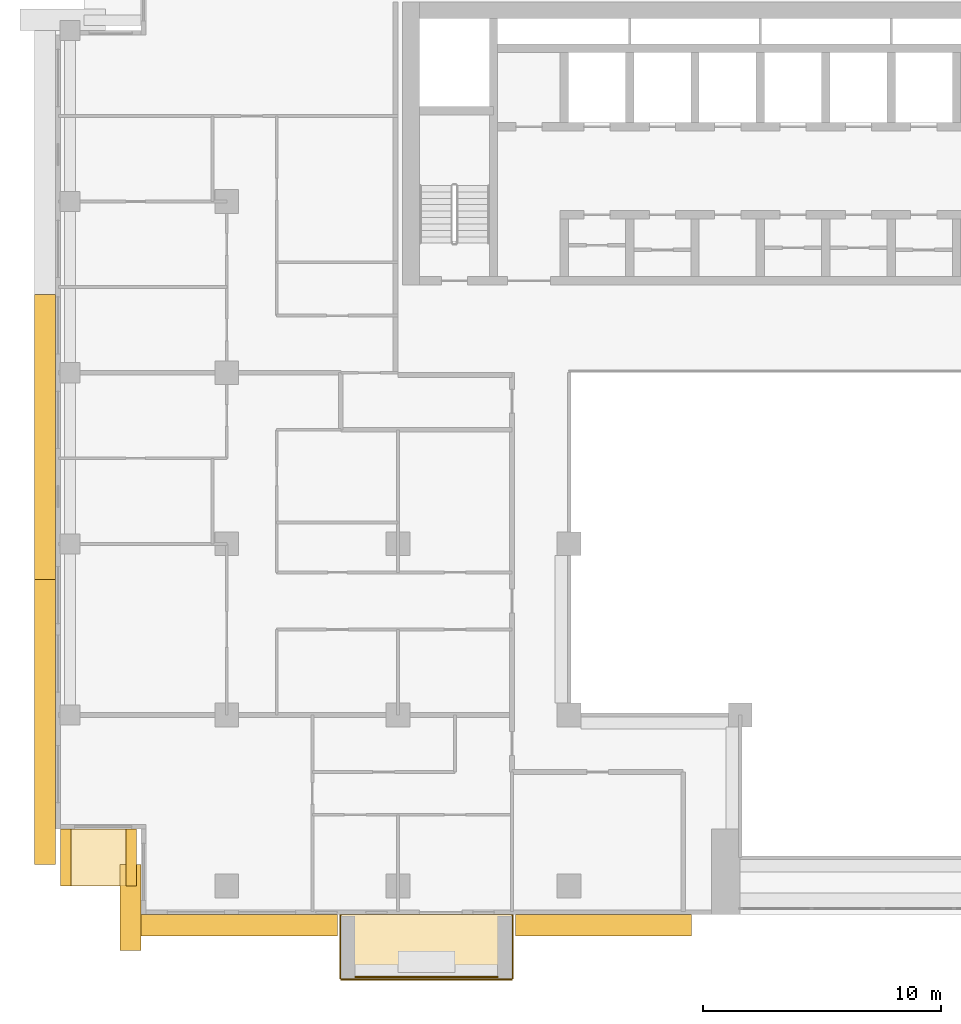
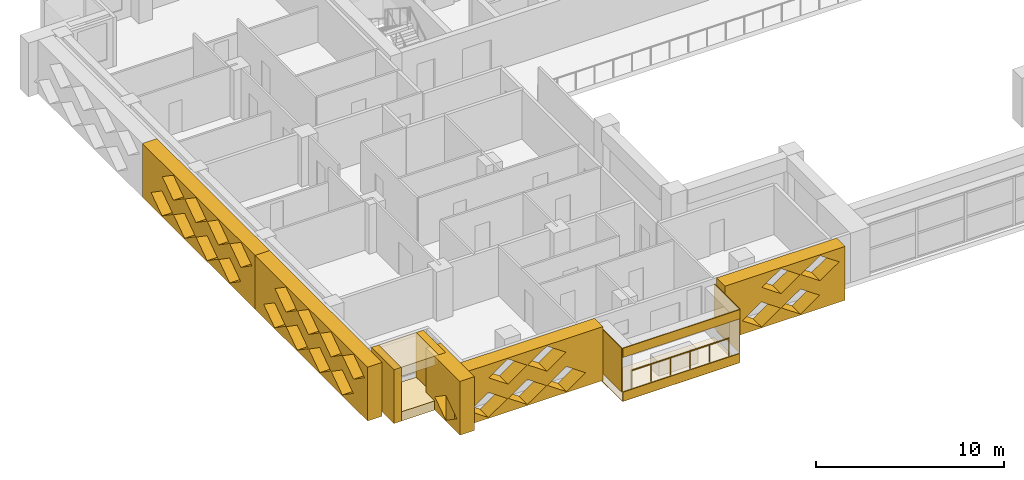
# One storey, part 14 of 20: 14 coverings, 1 railing.
"""IFC4 building model written with IfcOpenShell, lengths in metres."""

from ifc_helpers import new_model, si_unit, direction, frame, origin, origin_2d, place, context, subcontext, project, spatial, polyline, circle, outline, extrude, material, layer, layer_set, type_object, element, save


model = new_model("IFC4")

# Units and contexts
model_context = context("Model", 3, precision=1e-05, world=origin(), true_north=direction((0.0, 1.0)))
body_context = subcontext(model_context, "Body", "Model", "MODEL_VIEW")
ifc_project = project(units=[si_unit("LENGTHUNIT", "METRE"), si_unit("AREAUNIT", "SQUARE_METRE"), si_unit("VOLUMEUNIT", "CUBIC_METRE"), si_unit("PLANEANGLEUNIT", "RADIAN"), si_unit("MASSUNIT", "GRAM", prefix="KILO")], contexts=[model_context])

# Site, building, storey
site_placement = place(None, origin())
site = spatial("IfcSite", under=ifc_project, at=site_placement, CompositionType="ELEMENT")
building_placement = place(site_placement, origin())
building = spatial("IfcBuilding", under=site, at=building_placement, Name="Saffron Iwan Residences", CompositionType="ELEMENT")
storey_placement = place(building_placement, frame((0.0, 0.0, 146.5)))
storey = spatial("IfcBuildingStorey", under=building, at=storey_placement, Name="L38", CompositionType="ELEMENT", Elevation=146.5)

# Railing
ifc_material_1 = material(Name="Stainless steel 316", Category="steel")
railing_type = type_object("IfcRailingType", Name="BALCONY GUARD 1150", PredefinedType="GUARDRAIL", material=ifc_material_1)
railing_placement = place(storey_placement, frame((27.0, 36.97509765625, 0.0)))
element("IfcRailing", 1, at=railing_placement, inside=storey, type_object=railing_type, Name="Balcony guard L38 11-0", PredefinedType="GUARDRAIL", context=body_context, shape_type="SweptSolid", body=[
    extrude(circle(Radius=0.02392578125, at=origin_2d()), frame((0.0, 0.0, 1.1259765625), z_axis=(1.0, 0.0, 0.0), x_axis=(0.0, 1.0, 0.0)), (0.0, 0.0, 1.0), 6.0),
    extrude(circle(Radius=0.02099609375, at=origin_2d()), origin(), (0.0, 0.0, 1.0), 1.101806640625),
    extrude(circle(Radius=0.02099609375, at=origin_2d()), frame((1.199951171875, 0.0, 0.0)), (0.0, 0.0, 1.0), 1.101806640625),
    extrude(circle(Radius=0.02099609375, at=origin_2d()), frame((2.39990234375, 0.0, 0.0)), (0.0, 0.0, 1.0), 1.101806640625),
    extrude(circle(Radius=0.02099609375, at=origin_2d()), frame((3.60009765625, 0.0, 0.0)), (0.0, 0.0, 1.0), 1.101806640625),
    extrude(circle(Radius=0.02099609375, at=origin_2d()), frame((4.800048828125, 0.0, 0.0)), (0.0, 0.0, 1.0), 1.101806640625),
    extrude(circle(Radius=0.02099609375, at=origin_2d()), frame((6.0, 0.0, 0.0)), (0.0, 0.0, 1.0), 1.101806640625),
])

# Coverings
ifc_material_2 = material(Name="Precast concrete C40/50 white painted", Category="concrete")
ifc_layer = layer(ifc_material_2, 0.050048828125)
ifc_layer_set = layer_set([ifc_layer], Name="Precast concrete C40/50 white painted")
covering_type_1 = type_object("IfcCoveringType", Name="FRAME SKIN PRECAST WHITE 50", PredefinedType="CLADDING", material=ifc_layer_set)
for number, where, name in (
    (2, (0.0, 0.0, -0.60009765625), "Frame skin slab edge L38 11-0"),
    (3, (0.0, 0.0, 2.25), "Frame skin fascia L38 11-0"),
):
    element("IfcCovering", number, at=place(storey_placement, frame(where)), inside=storey, type_object=covering_type_1, Name=name, PredefinedType="CLADDING", context=body_context, shape_type="SweptSolid", body=[
        extrude(outline(polyline([(26.39990234375, 36.85009765625), (33.60009765625, 36.85009765625), (33.60009765625, 36.89990234375), (26.39990234375, 36.89990234375), (26.39990234375, 36.85009765625)])), origin(), (0.0, 0.0, 1.0), 0.60009765625),
    ])
covering_1_placement = place(storey_placement, frame((0.0, 0.0, -0.64990234375)))
element("IfcCovering", 4, at=covering_1_placement, inside=storey, type_object=covering_type_1, Name="Frame skin soffit L38 11-0", PredefinedType="CLADDING", context=body_context, shape_type="SweptSolid", body=[
    extrude(outline(polyline([(26.39990234375, 36.89990234375), (33.60009765625, 36.89990234375), (33.60009765625, 39.60009765625), (26.39990234375, 39.60009765625), (26.39990234375, 36.89990234375)])), origin(), (0.0, 0.0, 1.0), 0.0498046875),
])
covering_2_placement = place(storey_placement, origin())
element("IfcCovering", 5, at=covering_2_placement, inside=storey, type_object=covering_type_1, Name="Frame skin fin L38 11-0a", PredefinedType="CLADDING", context=body_context, shape_type="SweptSolid", body=[
    extrude(outline(polyline([(26.35009765625, 36.89990234375), (26.39990234375, 36.89990234375), (26.39990234375, 39.60009765625), (26.35009765625, 39.60009765625), (26.35009765625, 36.89990234375)])), origin(), (0.0, 0.0, 1.0), 2.85009765625),
])
covering_3_placement = place(storey_placement, origin())
element("IfcCovering", 6, at=covering_3_placement, inside=storey, type_object=covering_type_1, Name="Frame skin fin L38 11-0b", PredefinedType="CLADDING", context=body_context, shape_type="SweptSolid", body=[
    extrude(outline(polyline([(33.60009765625, 36.89990234375), (33.64990234375, 36.89990234375), (33.64990234375, 39.60009765625), (33.60009765625, 39.60009765625), (33.60009765625, 36.89990234375)])), origin(), (0.0, 0.0, 1.0), 2.85009765625),
])
ifc_material_3 = material(Name="Precast concrete C40/50", Category="concrete")
covering_type_2 = type_object("IfcCoveringType", Name="OUTER SKIN LATTICE SCREEN", PredefinedType="CLADDING", material=ifc_material_3)
for number, where, z_axis, x_axis, name in (
    (7, (14.39990234375, 65.699951171875, -0.300048828125), (-1.0, 0.0, 0.0), (0.0, -1.0, 0.0), "OUTER SKIN lattice screen L38 F8.1"),
    (8, (14.39990234375, 53.699951171875, -0.300048828125), (-1.0, 0.0, 0.0), (0.0, -1.0, 0.0), "OUTER SKIN lattice screen L38 F8.2"),
):
    element("IfcCovering", number, at=place(storey_placement, frame(where, z_axis=z_axis, x_axis=x_axis)), inside=storey, type_object=covering_type_2, Name=name, PredefinedType="CLADDING", context=body_context, shape_type="SweptSolid", body=[
        extrude(outline(polyline([(0.0, 0.0), (12.0, 0.0), (12.0, 3.5), (0.0, 3.5), (0.0, 0.0)]), holes=[polyline([(0.919921875, 0.875), (2.10009765625, 0.06005859375), (3.280029296875, 0.875), (2.10009765625, 1.68994140625), (0.919921875, 0.875)]), polyline([(3.320068359375, 0.875), (4.5, 0.06005859375), (5.679931640625, 0.875), (4.5, 1.68994140625), (3.320068359375, 0.875)]), polyline([(5.719970703125, 0.875), (6.89990234375, 0.06005859375), (8.080078125, 0.875), (6.89990234375, 1.68994140625), (5.719970703125, 0.875)]), polyline([(8.1201171875, 0.875), (9.300048828125, 0.06005859375), (10.47998046875, 0.875), (9.300048828125, 1.68994140625), (8.1201171875, 0.875)]), polyline([(2.1201171875, 2.625), (3.300048828125, 1.81005859375), (4.47998046875, 2.625), (3.300048828125, 3.43994140625), (2.1201171875, 2.625)]), polyline([(4.52001953125, 2.625), (5.699951171875, 1.81005859375), (6.8798828125, 2.625), (5.699951171875, 3.43994140625), (4.52001953125, 2.625)]), polyline([(6.919921875, 2.625), (8.10009765625, 1.81005859375), (9.280029296875, 2.625), (8.10009765625, 3.43994140625), (6.919921875, 2.625)]), polyline([(9.320068359375, 2.625), (10.5, 1.81005859375), (11.679931640625, 2.625), (10.5, 3.43994140625), (9.320068359375, 2.625)])]), origin(), (0.0, 0.0, 1.0), 0.89990234375),
    ])
covering_4_placement = place(storey_placement, frame((18.0, 41.699951171875, -0.300048828125), z_axis=(-1.0, 0.0, 0.0), x_axis=(0.0, -1.0, 0.0)))
element("IfcCovering", 9, at=covering_4_placement, inside=storey, type_object=covering_type_2, Name="OUTER SKIN lattice screen L38 F10.0", PredefinedType="CLADDING", context=body_context, shape_type="SweptSolid", body=[
    extrude(outline(polyline([(0.0, 0.0), (3.60009765625, 0.0), (3.60009765625, 3.5), (0.0, 3.5), (0.0, 0.0)]), holes=[polyline([(0.919921875, 0.875), (2.10009765625, 0.06005859375), (3.280029296875, 0.875), (2.10009765625, 1.68994140625), (0.919921875, 0.875)])]), origin(), (0.0, 0.0, 1.0), 0.89990234375),
])
covering_5_placement = place(storey_placement, frame((17.10009765625, 39.60009765625, -0.300048828125), z_axis=(0.0, -1.0, 0.0), x_axis=(1.0, 0.0, 0.0)))
element("IfcCovering", 10, at=covering_5_placement, inside=storey, type_object=covering_type_2, Name="OUTER SKIN lattice screen L38 F11.0", PredefinedType="CLADDING", context=body_context, shape_type="SweptSolid", body=[
    extrude(outline(polyline([(0.0, 0.0), (9.14990234375, 0.0), (9.14990234375, 3.5), (0.0, 3.5), (0.0, 0.0)]), holes=[polyline([(0.919921875, 0.875), (2.10009765625, 0.06005859375), (3.280029296875, 0.875), (2.10009765625, 1.68994140625), (0.919921875, 0.875)]), polyline([(3.320068359375, 0.875), (4.5, 0.06005859375), (5.679931640625, 0.875), (4.5, 1.68994140625), (3.320068359375, 0.875)]), polyline([(5.719970703125, 0.875), (6.89990234375, 0.06005859375), (8.080078125, 0.875), (6.89990234375, 1.68994140625), (5.719970703125, 0.875)]), polyline([(2.1201171875, 2.625), (3.300048828125, 1.81005859375), (4.47998046875, 2.625), (3.300048828125, 3.43994140625), (2.1201171875, 2.625)]), polyline([(4.52001953125, 2.625), (5.699951171875, 1.81005859375), (6.8798828125, 2.625), (5.699951171875, 3.43994140625), (4.52001953125, 2.625)])]), origin(), (0.0, 0.0, 1.0), 0.900146484375),
])
covering_6_placement = place(storey_placement, frame((33.75, 39.60009765625, -0.300048828125), z_axis=(0.0, -1.0, 0.0), x_axis=(1.0, 0.0, 0.0)))
element("IfcCovering", 11, at=covering_6_placement, inside=storey, type_object=covering_type_2, Name="OUTER SKIN lattice screen L38 F11.1", PredefinedType="CLADDING", context=body_context, shape_type="SweptSolid", body=[
    extrude(outline(polyline([(0.0, 0.0), (7.39990234375, 0.0), (7.39990234375, 3.5), (0.0, 3.5), (0.0, 0.0)]), holes=[polyline([(1.070068359375, 0.875), (2.25, 0.06005859375), (3.429931640625, 0.875), (2.25, 1.68994140625), (1.070068359375, 0.875)]), polyline([(3.469970703125, 0.875), (4.64990234375, 0.06005859375), (5.830078125, 0.875), (4.64990234375, 1.68994140625), (3.469970703125, 0.875)]), polyline([(2.27001953125, 2.625), (3.449951171875, 1.81005859375), (4.6298828125, 2.625), (3.449951171875, 3.43994140625), (2.27001953125, 2.625)]), polyline([(4.669921875, 2.625), (5.85009765625, 1.81005859375), (7.030029296875, 2.625), (5.85009765625, 3.43994140625), (4.669921875, 2.625)])]), origin(), (0.0, 0.0, 1.0), 0.900146484375),
])
covering_type_3 = type_object("IfcCoveringType", Name="WHITE SUN FRAME PRECAST", PredefinedType="CLADDING", material=ifc_material_2)
for number, where, z_axis, x_axis, name in (
    (12, (14.60009765625, 43.199951171875, -0.300048828125), (0.0, -1.0, 0.0), (1.0, 0.0, 0.0), "Sun frame L38 F9 0.2a"),
    (13, (17.35009765625, 43.199951171875, -0.300048828125), (0.0, -1.0, 0.0), (1.0, 0.0, 0.0), "Sun frame L38 F9 0.2b"),
):
    element("IfcCovering", number, at=place(storey_placement, frame(where, z_axis=z_axis, x_axis=x_axis)), inside=storey, type_object=covering_type_3, Name=name, PredefinedType="CLADDING", context=body_context, shape_type="SweptSolid", body=[
        extrude(outline(polyline([(0.0, 0.0), (0.449951171875, 0.0), (0.449951171875, 3.5), (0.0, 3.5), (0.0, 0.0)])), origin(), (0.0, 0.0, 1.0), 2.39990234375),
    ])
for number, where, z_axis, x_axis, name in (
    (14, (15.050048828125, 43.199951171875, 2.60009765625), (0.0, -1.0, 0.0), (1.0, 0.0, 0.0), "Sun frame L38 F9 0.2h"),
    (15, (15.050048828125, 43.199951171875, -0.300048828125), (0.0, -1.0, 0.0), (1.0, 0.0, 0.0), "Sun frame L38 F9 0.2s"),
):
    element("IfcCovering", number, at=place(storey_placement, frame(where, z_axis=z_axis, x_axis=x_axis)), inside=storey, type_object=covering_type_3, Name=name, PredefinedType="CLADDING", context=body_context, shape_type="SweptSolid", body=[
        extrude(outline(polyline([(0.0, 0.0), (2.300048828125, 0.0), (2.300048828125, 0.60009765625), (0.0, 0.60009765625), (0.0, 0.0)])), origin(), (0.0, 0.0, 1.0), 2.39990234375),
    ])

save(model, "model.ifc")
